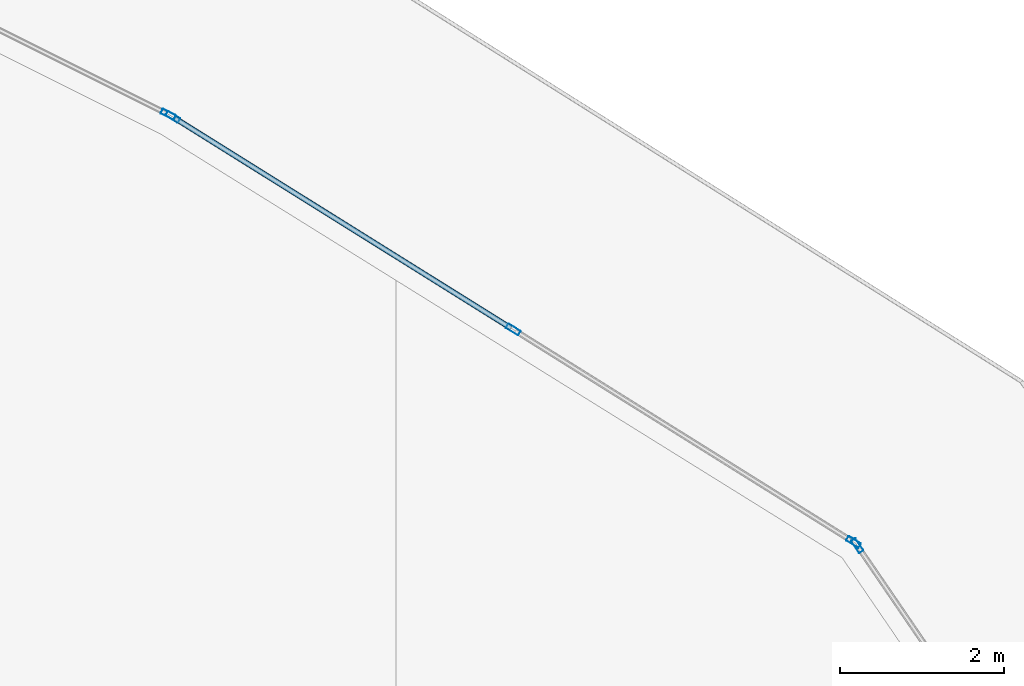
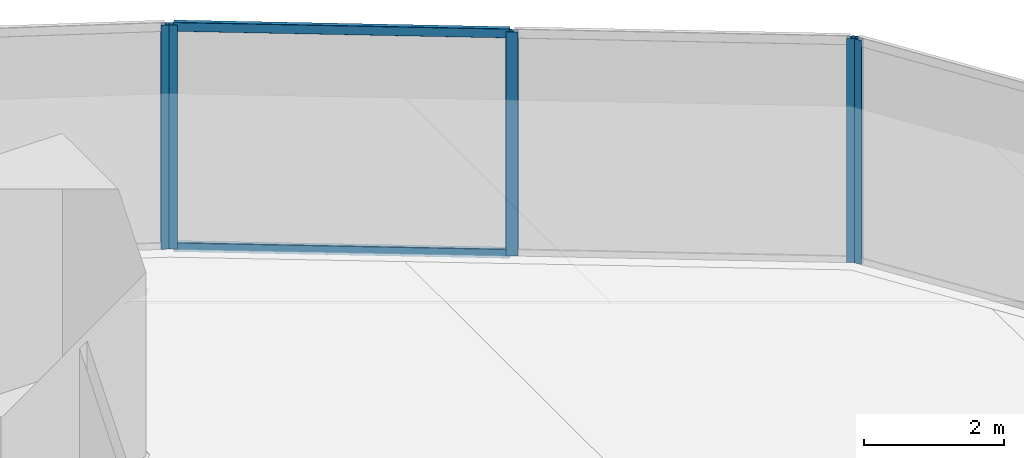
# One storey, part 29 of 52: 7 members, 3 elements without a shape of their own.
"""IFC4 building model written with IfcOpenShell, lengths in metres."""

from ifc_helpers import new_model, si_unit, direction, frame, origin, origin_2d, place, context, subcontext, project, spatial, hollow_rectangle, extrude, material, layer, layer_set, material_profile, profile_set, type_object, element, aggregate, save


model = new_model("IFC4")

# Units and contexts
model_context = context("Model", 3, precision=1e-05, world=origin(), true_north=direction((0.0, 1.0)))
body_context = subcontext(model_context, "Body", "Model", "MODEL_VIEW")
ifc_project = project(units=[si_unit("LENGTHUNIT", "METRE"), si_unit("AREAUNIT", "SQUARE_METRE"), si_unit("VOLUMEUNIT", "CUBIC_METRE"), si_unit("PLANEANGLEUNIT", "RADIAN"), si_unit("MASSUNIT", "GRAM", prefix="KILO")], contexts=[model_context])

# Site, building, storey
site_placement = place(None, origin())
site = spatial("IfcSite", under=ifc_project, at=site_placement, CompositionType="ELEMENT")
building_placement = place(site_placement, origin())
building = spatial("IfcBuilding", under=site, at=building_placement, Name="Qorvath Tower", CompositionType="ELEMENT")
storey_placement = place(building_placement, frame((0.0, 0.0, 61.800048828125)))
storey = spatial("IfcBuildingStorey", under=building, at=storey_placement, Name="L13", CompositionType="ELEMENT", Elevation=61.800048828125)

# Curtain wall, member
ifc_material_1 = material(Name="Anodised aluminium and triple low-E glass", Category="aluminium")
ifc_layer = layer(ifc_material_1, 0.179931640625)
ifc_layer_set = layer_set([ifc_layer], Name="CW-SYS-2")
curtain_wall_type = type_object("IfcCurtainWallType", Name="CW-SYS-2", PredefinedType="NOTDEFINED", material=ifc_layer_set)
curtain_wall_1_placement = place(storey_placement, origin())
curtain_wall_1 = element("IfcCurtainWall", 1, at=curtain_wall_1_placement, inside=storey, type_object=curtain_wall_type, Name="Curtain Wall CW-2 CW-T-L13-13.1", PredefinedType="NOTDEFINED")
ifc_material_2 = material(Name="Anodised aluminium 6063-T6", Category="aluminium")
ifc_material_profile_1 = material_profile(ifc_material_2, hollow_rectangle(XDim=0.06494140625, YDim=0.179931640625, WallThickness=0.00341796875, InnerFilletRadius=0.00341796875, OuterFilletRadius=0.007080078125, at=origin_2d()), Name="CWM 180x65")
ifc_profile_set_1 = profile_set([ifc_material_profile_1], Name="Anodised aluminium 6063-T6")
member_type_1 = type_object("IfcMemberType", Name="CWM-180", PredefinedType="MULLION", material=ifc_profile_set_1)
member_1_placement = place(storey_placement, frame((-2.011962890625, 25.2470703125, 0.0), z_axis=(0.0, 0.0, 1.0), x_axis=(-0.825808847881, -0.563950127903, 0.0)))
member_1 = element("IfcMember", 2, at=member_1_placement, type_object=member_type_1, Name="CW-2 mullion 2", PredefinedType="MULLION", context=body_context, shape_type="SweptSolid", body=[
    extrude(hollow_rectangle(XDim=0.06494140625, YDim=0.179931640625, WallThickness=0.00341796875, InnerFilletRadius=0.00341796875, OuterFilletRadius=0.007080078125, at=origin_2d()), origin(), (0.0, 0.0, 1.0), 3.919921875),
])
aggregate(curtain_wall_1, [member_1])

# Curtain wall, members
curtain_wall_2_placement = place(storey_placement, origin())
curtain_wall_2 = element("IfcCurtainWall", 3, at=curtain_wall_2_placement, inside=storey, type_object=curtain_wall_type, Name="Curtain Wall CW-2 CW-T-L13-14.1", PredefinedType="NOTDEFINED")
member_2_placement = place(storey_placement, frame((-2.057861328125, 25.291015625, 0.0), z_axis=(0.0, 0.0, 1.0), x_axis=(-0.529691684986, -0.848190261001, 0.0)))
member_2 = element("IfcMember", 4, at=member_2_placement, type_object=member_type_1, Name="CW-2 mullion 1", PredefinedType="MULLION", context=body_context, shape_type="SweptSolid", body=[
    extrude(hollow_rectangle(XDim=0.06494140625, YDim=0.179931640625, WallThickness=0.00341796875, InnerFilletRadius=0.00341796875, OuterFilletRadius=0.007080078125, at=origin_2d()), origin(), (0.0, 0.0, 1.0), 3.919921875),
])
member_3_placement = place(storey_placement, frame((-6.199462890625, 27.87744140625, 0.0), z_axis=(0.0, 0.0, 1.0), x_axis=(-0.529691684986, -0.848190261001, 0.0)))
member_3 = element("IfcMember", 5, at=member_3_placement, type_object=member_type_1, Name="CW-2 mullion 2", PredefinedType="MULLION", context=body_context, shape_type="SweptSolid", body=[
    extrude(hollow_rectangle(XDim=0.06494140625, YDim=0.179931640625, WallThickness=0.00341796875, InnerFilletRadius=0.00341796875, OuterFilletRadius=0.007080078125, at=origin_2d()), origin(), (0.0, 0.0, 1.0), 3.919921875),
])
member_4_placement = place(storey_placement, frame((-10.341064453125, 30.4638671875, 0.0), z_axis=(0.0, 0.0, 1.0), x_axis=(-0.529691684986, -0.848190261001, 0.0)))
member_4 = element("IfcMember", 6, at=member_4_placement, type_object=member_type_1, Name="CW-2 mullion 3", PredefinedType="MULLION", context=body_context, shape_type="SweptSolid", body=[
    extrude(hollow_rectangle(XDim=0.06494140625, YDim=0.179931640625, WallThickness=0.00341796875, InnerFilletRadius=0.00341796875, OuterFilletRadius=0.007080078125, at=origin_2d()), origin(), (0.0, 0.0, 1.0), 3.919921875),
])

# Curtain wall, member
curtain_wall_3_placement = place(storey_placement, origin())
curtain_wall_3 = element("IfcCurtainWall", 7, at=curtain_wall_3_placement, inside=storey, type_object=curtain_wall_type, Name="Curtain Wall CW-2 CW-T-L13-15.1", PredefinedType="NOTDEFINED")
member_5_placement = place(storey_placement, frame((-10.397705078125, 30.495849609375, 0.0), z_axis=(0.0, 0.0, 1.0), x_axis=(-0.447213595499, -0.894427191001, 0.0)))
member_5 = element("IfcMember", 8, at=member_5_placement, type_object=member_type_1, Name="CW-2 mullion 1", PredefinedType="MULLION", context=body_context, shape_type="SweptSolid", body=[
    extrude(hollow_rectangle(XDim=0.06494140625, YDim=0.179931640625, WallThickness=0.00341796875, InnerFilletRadius=0.00341796875, OuterFilletRadius=0.007080078125, at=origin_2d()), origin(), (0.0, 0.0, 1.0), 3.919921875),
])
aggregate(curtain_wall_3, [member_5])

# Member
ifc_material_3 = material(Name="Anodised aluminium 6063-T6", Category="aluminium")
ifc_material_profile_2 = material_profile(ifc_material_3, hollow_rectangle(XDim=0.06494140625, YDim=0.159912109375, WallThickness=0.00341796875, InnerFilletRadius=0.00341796875, OuterFilletRadius=0.007080078125, at=origin_2d()), Name="CWT 160x65")
ifc_profile_set_2 = profile_set([ifc_material_profile_2], Name="Anodised aluminium 6063-T6")
member_type_2 = type_object("IfcMemberType", Name="CWT-160", PredefinedType="USERDEFINED", material=ifc_profile_set_2)
member_6_placement = place(storey_placement, frame((-6.22705078125, 27.894775390625, 0.032470703125), z_axis=(-0.848186144124, 0.529698277245, 0.0), x_axis=(-0.529698277245, -0.848186144124, 0.0)))
member_6 = element("IfcMember", 9, at=member_6_placement, type_object=member_type_2, Name="CW-2 transom 2.1", ObjectType="TRANSOM", PredefinedType="USERDEFINED", context=body_context, shape_type="SweptSolid", body=[
    extrude(hollow_rectangle(XDim=0.06494140625, YDim=0.159912109375, WallThickness=0.00341796875, InnerFilletRadius=0.00341796875, OuterFilletRadius=0.007080078125, at=origin_2d()), origin(), (0.0, 0.0, 1.0), 4.81787109375),
])

member_7_placement = place(storey_placement, frame((-6.22705078125, 27.894775390625, 3.887451171875), z_axis=(-0.848186144124, 0.529698277245, 0.0), x_axis=(-0.529698277245, -0.848186144124, 0.0)))
member_7 = element("IfcMember", 10, at=member_7_placement, type_object=member_type_2, Name="CW-2 transom 2.2", ObjectType="TRANSOM", PredefinedType="USERDEFINED", context=body_context, shape_type="SweptSolid", body=[
    extrude(hollow_rectangle(XDim=0.06494140625, YDim=0.159912109375, WallThickness=0.00341796875, InnerFilletRadius=0.00341796875, OuterFilletRadius=0.007080078125, at=origin_2d()), origin(), (0.0, 0.0, 1.0), 4.81787109375),
])

aggregate(curtain_wall_2, [member_2, member_3, member_4, member_6, member_7])

save(model, "model.ifc")
